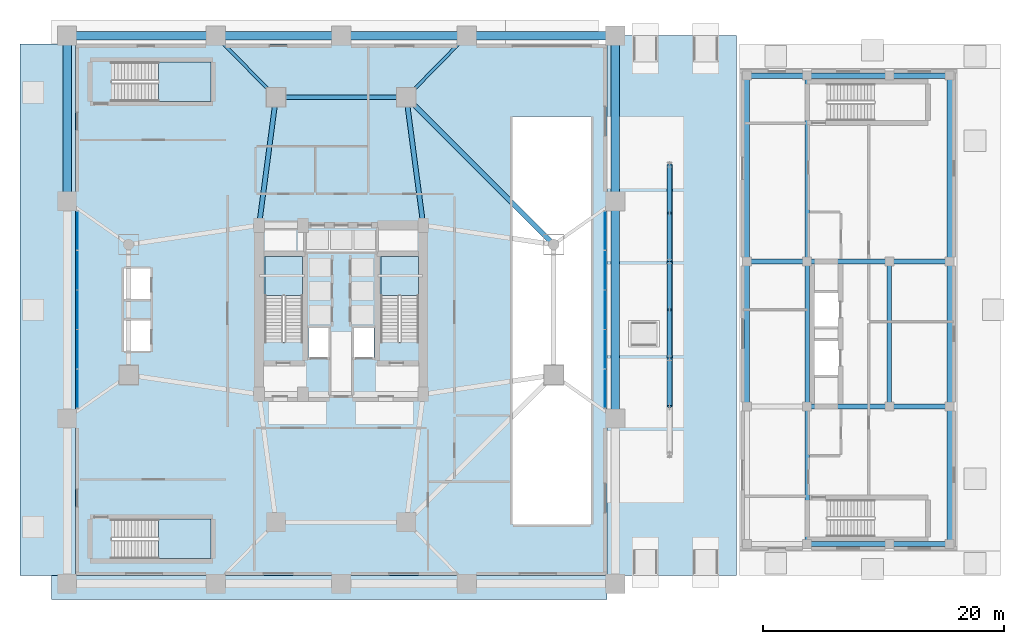
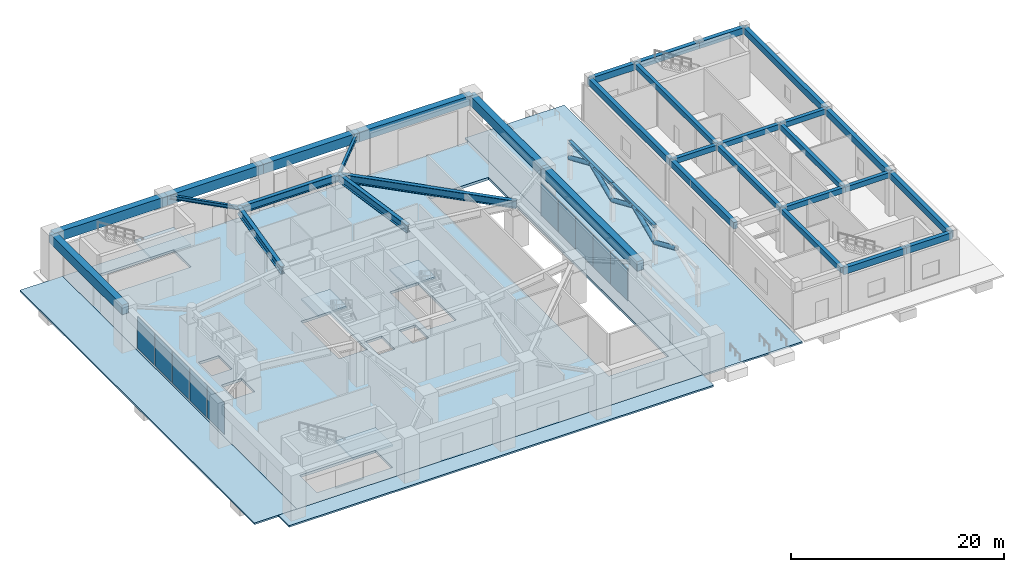
# One storey, part 15 of 27: 34 beams, 10 plates, 8 slabs, 5 members, 6 elements without a shape of their own.
"""IFC4 building model written with IfcOpenShell, lengths in metres."""

from ifc_helpers import new_model, si_unit, direction, frame, origin, origin_2d, place, context, subcontext, project, spatial, polyline, rectangle, hollow_circle, i_section, outline, extrude, source, transform, mapped, material, layer, layer_set, material_profile, profile_set, type_object, element, aggregate, save


model = new_model("IFC4")

# Units and contexts
model_context = context("Model", 3, precision=1e-05, world=origin(), true_north=direction((0.0, 1.0)))
body_context = subcontext(model_context, "Body", "Model", "MODEL_VIEW")
ifc_project = project(units=[si_unit("LENGTHUNIT", "METRE"), si_unit("AREAUNIT", "SQUARE_METRE"), si_unit("VOLUMEUNIT", "CUBIC_METRE"), si_unit("PLANEANGLEUNIT", "RADIAN"), si_unit("MASSUNIT", "GRAM", prefix="KILO")], contexts=[model_context])

# Site, building, storey
site_placement = place(None, origin())
site = spatial("IfcSite", under=ifc_project, at=site_placement, CompositionType="ELEMENT")
building_placement = place(site_placement, origin())
building = spatial("IfcBuilding", under=site, at=building_placement, Name="Veraguas Prism Commons", CompositionType="ELEMENT")
storey_placement = place(building_placement, origin())
storey = spatial("IfcBuildingStorey", under=building, at=storey_placement, Name="L00", CompositionType="ELEMENT", Elevation=0.0)

# Beams
ifc_material_1 = material(Name="Concrete C50/60", Category="concrete")
ifc_material_profile_1 = material_profile(ifc_material_1, rectangle(XDim=0.39990234375, YDim=0.60009765625, at=origin_2d()), Name="RC400X600")
ifc_profile_set_1 = profile_set([ifc_material_profile_1], Name="Concrete C50/60")
beam_type_1 = type_object("IfcBeamType", Name="Clinic Secondary Beam RC 400x600", PredefinedType="BEAM", material=ifc_profile_set_1)
beam_1_placement = place(storey_placement, frame((62.60009765625, 16.0, 4.60009765625), z_axis=(1.0, 0.0, 0.0), x_axis=(0.0, 1.0, 0.0)))
element("IfcBeam", 1, at=beam_1_placement, inside=storey, type_object=beam_type_1, Name="Health Centre Beam L00-HCX05", PredefinedType="BEAM", context=body_context, shape_type="SweptSolid", body=[
    extrude(rectangle(XDim=0.39990234375, YDim=0.60009765625, at=origin_2d()), origin(), (0.0, 0.0, 1.0), 6.7998046875),
])
for number, where, z_axis, x_axis, name in (
    (2, (69.39990234375, 16.0, 4.60009765625), (1.0, 0.0, 0.0), (0.0, 1.0, 0.0), "Health Centre Beam L00-HCX06"),
    (3, (57.60009765625, 28.0, 4.60009765625), (1.0, 0.0, 0.0), (0.0, 1.0, 0.0), "Health Centre Beam L00-HCX07"),
):
    element("IfcBeam", number, at=place(storey_placement, frame(where, z_axis=z_axis, x_axis=x_axis)), inside=storey, type_object=beam_type_1, Name=name, PredefinedType="BEAM", context=body_context, shape_type="SweptSolid", body=[
        extrude(rectangle(XDim=0.39990234375, YDim=0.60009765625, at=origin_2d()), origin(), (0.0, 0.0, 1.0), 5.0),
    ])
beam_2_placement = place(storey_placement, frame((62.60009765625, 28.0, 4.60009765625), z_axis=(1.0, 0.0, 0.0), x_axis=(0.0, 1.0, 0.0)))
element("IfcBeam", 4, at=beam_2_placement, inside=storey, type_object=beam_type_1, Name="Health Centre Beam L00-HCX08", PredefinedType="BEAM", context=body_context, shape_type="SweptSolid", body=[
    extrude(rectangle(XDim=0.39990234375, YDim=0.60009765625, at=origin_2d()), origin(), (0.0, 0.0, 1.0), 6.7998046875),
])
beam_3_placement = place(storey_placement, frame((69.39990234375, 28.0, 4.60009765625), z_axis=(1.0, 0.0, 0.0), x_axis=(0.0, 1.0, 0.0)))
element("IfcBeam", 5, at=beam_3_placement, inside=storey, type_object=beam_type_1, Name="Health Centre Beam L00-HCX09", PredefinedType="BEAM", context=body_context, shape_type="SweptSolid", body=[
    extrude(rectangle(XDim=0.39990234375, YDim=0.60009765625, at=origin_2d()), origin(), (0.0, 0.0, 1.0), 5.0),
])
beam_4_placement = place(storey_placement, frame((62.60009765625, 4.60009765625, 4.60009765625), z_axis=(0.0, 1.0, 0.0), x_axis=(-1.0, 0.0, 0.0)))
element("IfcBeam", 6, at=beam_4_placement, inside=storey, type_object=beam_type_1, Name="Health Centre Beam L00-HCY16", PredefinedType="BEAM", context=body_context, shape_type="SweptSolid", body=[
    extrude(rectangle(XDim=0.39990234375, YDim=0.60009765625, at=origin_2d()), origin(), (0.0, 0.0, 1.0), 11.39990234375),
])
beam_5_placement = place(storey_placement, frame((62.60009765625, 16.0, 4.60009765625), z_axis=(0.0, 1.0, 0.0), x_axis=(-1.0, 0.0, 0.0)))
element("IfcBeam", 7, at=beam_5_placement, inside=storey, type_object=beam_type_1, Name="Health Centre Beam L00-HCY17", PredefinedType="BEAM", context=body_context, shape_type="SweptSolid", body=[
    extrude(rectangle(XDim=0.39990234375, YDim=0.60009765625, at=origin_2d()), origin(), (0.0, 0.0, 1.0), 12.0),
])
beam_6_placement = place(storey_placement, frame((62.60009765625, 28.0, 4.60009765625), z_axis=(0.0, 1.0, 0.0), x_axis=(-1.0, 0.0, 0.0)))
element("IfcBeam", 8, at=beam_6_placement, inside=storey, type_object=beam_type_1, Name="Health Centre Beam L00-HCY18", PredefinedType="BEAM", context=body_context, shape_type="SweptSolid", body=[
    extrude(rectangle(XDim=0.39990234375, YDim=0.60009765625, at=origin_2d()), origin(), (0.0, 0.0, 1.0), 15.39990234375),
])
beam_7_placement = place(storey_placement, frame((69.39990234375, 16.0, 4.60009765625), z_axis=(0.0, 1.0, 0.0), x_axis=(-1.0, 0.0, 0.0)))
element("IfcBeam", 9, at=beam_7_placement, inside=storey, type_object=beam_type_1, Name="Health Centre Beam L00-HCY20", PredefinedType="BEAM", context=body_context, shape_type="SweptSolid", body=[
    extrude(rectangle(XDim=0.39990234375, YDim=0.60009765625, at=origin_2d()), origin(), (0.0, 0.0, 1.0), 12.0),
])

# Members
ifc_material_2 = material(Name="Steel ASTM A500 Grade C", Category="steel")
ifc_material_profile_2 = material_profile(ifc_material_2, hollow_circle(Radius=0.228515625, WallThickness=0.02001953125, at=origin_2d()), Name="CHS457X20")
ifc_profile_set_2 = profile_set([ifc_material_profile_2], Name="Steel ASTM A500 Grade C")
member_type = type_object("IfcMemberType", Name="Concourse Canopy Brace CHS 457x20", PredefinedType="BRACE", material=ifc_profile_set_2)
for number, where, z_axis, x_axis, name in (
    (10, (51.199951171875, 20.0, 2.39990234375), (0.0, -0.916157334902, 0.40081883402), (1.0, 0.0, 0.0), "Plaza Canopy Pipe Brace 02"),
    (11, (51.199951171875, 20.0, 2.39990234375), (0.0, 0.916157334902, 0.40081883402), (-1.0, 0.0, 0.0), "Plaza Canopy Pipe Brace 03"),
    (12, (51.199951171875, 28.0, 2.39990234375), (0.0, -0.916157334902, 0.40081883402), (1.0, 0.0, 0.0), "Plaza Canopy Pipe Brace 04"),
    (13, (51.199951171875, 28.0, 2.39990234375), (0.0, 0.916157334902, 0.40081883402), (-1.0, 0.0, 0.0), "Plaza Canopy Pipe Brace 05"),
    (14, (51.199951171875, 36.0, 2.39990234375), (0.0, -0.916157334902, 0.40081883402), (1.0, 0.0, 0.0), "Plaza Canopy Pipe Brace 06"),
):
    element("IfcMember", number, at=place(storey_placement, frame(where, z_axis=z_axis, x_axis=x_axis)), inside=storey, type_object=member_type, Name=name, PredefinedType="BRACE", context=body_context, shape_type="SweptSolid", body=[
        extrude(hollow_circle(Radius=0.228515625, WallThickness=0.02001953125, at=origin_2d()), origin(), (0.0, 0.0, 1.0), 4.365966796875),
    ])

# Beams
ifc_material_3 = material(Name="Steel ASTM A992 Grade 50", Category="steel")
ifc_material_profile_3 = material_profile(ifc_material_3, i_section(OverallWidth=0.403076171875, OverallDepth=0.867919921875, WebThickness=0.02099609375, FlangeThickness=0.03564453125, at=origin_2d()), Name="W840X359")
ifc_profile_set_3 = profile_set([ifc_material_profile_3], Name="Steel ASTM A992 Grade 50")
beam_type_2 = type_object("IfcBeamType", Name="Concourse Primary Girder W840x359", PredefinedType="BEAM", material=ifc_profile_set_3)
for number, where, z_axis, x_axis, name in (
    (15, (29.39990234375, 41.60009765625, 4.466064453125), (0.130950648891, -0.991388888154, 0.0), (0.991388888154, 0.130950648891, 0.0), "Concourse Radial Girder L00-TMR03"),
    (16, (18.60009765625, 41.60009765625, 4.466064453125), (-0.130950648891, -0.991388888154, 0.0), (0.991388888154, -0.130950648891, 0.0), "Concourse Radial Girder L00-TMR04"),
):
    element("IfcBeam", number, at=place(storey_placement, frame(where, z_axis=z_axis, x_axis=x_axis)), inside=storey, type_object=beam_type_2, Name=name, PredefinedType="BEAM", context=body_context, shape_type="SweptSolid", body=[
        extrude(i_section(OverallWidth=0.403076171875, OverallDepth=0.867919921875, WebThickness=0.02099609375, FlangeThickness=0.03564453125, at=origin_2d()), origin(), (0.0, 0.0, 1.0), 10.692138671875),
    ])
beam_8_placement = place(storey_placement, frame((41.60009765625, 29.39990234375, 4.466064453125), z_axis=(-0.707106781187, 0.707106781187, 0.0), x_axis=(-0.707106781187, -0.707106781187, 0.0)))
element("IfcBeam", 17, at=beam_8_placement, inside=storey, type_object=beam_type_2, Name="Concourse Ring Girder L00-TMH02", PredefinedType="BEAM", context=body_context, shape_type="SweptSolid", body=[
    extrude(i_section(OverallWidth=0.403076171875, OverallDepth=0.867919921875, WebThickness=0.02099609375, FlangeThickness=0.03564453125, at=origin_2d()), origin(), (0.0, 0.0, 1.0), 17.253662109375),
])
beam_9_placement = place(storey_placement, frame((29.39990234375, 41.60009765625, 4.466064453125), z_axis=(-1.0, 0.0, 0.0), x_axis=(0.0, -1.0, 0.0)))
element("IfcBeam", 18, at=beam_9_placement, inside=storey, type_object=beam_type_2, Name="Concourse Ring Girder L00-TMH03", PredefinedType="BEAM", context=body_context, shape_type="SweptSolid", body=[
    extrude(i_section(OverallWidth=0.403076171875, OverallDepth=0.867919921875, WebThickness=0.02099609375, FlangeThickness=0.03564453125, at=origin_2d()), origin(), (0.0, 0.0, 1.0), 10.7998046875),
])
ifc_material_profile_4 = material_profile(ifc_material_3, i_section(OverallWidth=0.260986328125, OverallDepth=0.419921875, WebThickness=0.01171875, FlangeThickness=0.019287109375, at=origin_2d()), Name="W410X114")
ifc_profile_set_4 = profile_set([ifc_material_profile_4], Name="Steel ASTM A992 Grade 50")
beam_type_3 = type_object("IfcBeamType", Name="Lower Floor Joist W410x114", PredefinedType="JOIST", material=ifc_profile_set_4)
for number, where, z_axis, x_axis, name in (
    (19, (29.39990234375, 41.60009765625, 4.68994140625), (0.700081663946, 0.71406278702, 0.0), (-0.71406278702, 0.700081663946, 0.0), "Podium Tie Beam L00-TMT03"),
    (20, (18.60009765625, 41.60009765625, 4.68994140625), (-0.700081663946, 0.71406278702, 0.0), (-0.71406278702, -0.700081663946, 0.0), "Podium Tie Beam L00-TMT04"),
):
    element("IfcBeam", number, at=place(storey_placement, frame(where, z_axis=z_axis, x_axis=x_axis)), inside=storey, type_object=beam_type_3, Name=name, PredefinedType="JOIST", context=body_context, shape_type="SweptSolid", body=[
        extrude(i_section(OverallWidth=0.260986328125, OverallDepth=0.419921875, WebThickness=0.01171875, FlangeThickness=0.019287109375, at=origin_2d()), origin(), (0.0, 0.0, 1.0), 7.14208984375),
    ])
ifc_material_profile_5 = material_profile(ifc_material_1, rectangle(XDim=0.449951171875, YDim=0.75, at=origin_2d()), Name="RC450X750")
ifc_profile_set_5 = profile_set([ifc_material_profile_5], Name="Concrete C50/60")
beam_type_4 = type_object("IfcBeamType", Name="Perimeter Spandrel Upper RC 450x750", PredefinedType="SPANDREL", material=ifc_profile_set_5)
beam_10_placement = place(storey_placement, frame((62.60009765625, 4.60009765625, 4.52490234375), z_axis=(1.0, 0.0, 0.0), x_axis=(0.0, 1.0, 0.0)))
element("IfcBeam", 21, at=beam_10_placement, inside=storey, type_object=beam_type_4, Name="Health Centre Beam L00-HCX02", PredefinedType="SPANDREL", context=body_context, shape_type="SweptSolid", body=[
    extrude(rectangle(XDim=0.449951171875, YDim=0.75, at=origin_2d()), origin(), (0.0, 0.0, 1.0), 6.7998046875),
])
for number, where, z_axis, x_axis, name in (
    (22, (69.39990234375, 4.60009765625, 4.52490234375), (1.0, 0.0, 0.0), (0.0, 1.0, 0.0), "Health Centre Beam L00-HCX03"),
    (23, (57.60009765625, 43.39990234375, 4.52490234375), (1.0, 0.0, 0.0), (0.0, 1.0, 0.0), "Health Centre Beam L00-HCX10"),
):
    element("IfcBeam", number, at=place(storey_placement, frame(where, z_axis=z_axis, x_axis=x_axis)), inside=storey, type_object=beam_type_4, Name=name, PredefinedType="SPANDREL", context=body_context, shape_type="SweptSolid", body=[
        extrude(rectangle(XDim=0.449951171875, YDim=0.75, at=origin_2d()), origin(), (0.0, 0.0, 1.0), 5.0),
    ])
beam_11_placement = place(storey_placement, frame((62.60009765625, 43.39990234375, 4.52490234375), z_axis=(1.0, 0.0, 0.0), x_axis=(0.0, 1.0, 0.0)))
element("IfcBeam", 24, at=beam_11_placement, inside=storey, type_object=beam_type_4, Name="Health Centre Beam L00-HCX11", PredefinedType="SPANDREL", context=body_context, shape_type="SweptSolid", body=[
    extrude(rectangle(XDim=0.449951171875, YDim=0.75, at=origin_2d()), origin(), (0.0, 0.0, 1.0), 6.7998046875),
])
beam_12_placement = place(storey_placement, frame((69.39990234375, 43.39990234375, 4.52490234375), z_axis=(1.0, 0.0, 0.0), x_axis=(0.0, 1.0, 0.0)))
element("IfcBeam", 25, at=beam_12_placement, inside=storey, type_object=beam_type_4, Name="Health Centre Beam L00-HCX12", PredefinedType="SPANDREL", context=body_context, shape_type="SweptSolid", body=[
    extrude(rectangle(XDim=0.449951171875, YDim=0.75, at=origin_2d()), origin(), (0.0, 0.0, 1.0), 5.0),
])
beam_13_placement = place(storey_placement, frame((57.60009765625, 16.0, 4.52490234375), z_axis=(0.0, 1.0, 0.0), x_axis=(-1.0, 0.0, 0.0)))
element("IfcBeam", 26, at=beam_13_placement, inside=storey, type_object=beam_type_4, Name="Health Centre Beam L00-HCY14", PredefinedType="SPANDREL", context=body_context, shape_type="SweptSolid", body=[
    extrude(rectangle(XDim=0.449951171875, YDim=0.75, at=origin_2d()), origin(), (0.0, 0.0, 1.0), 12.0),
])
beam_14_placement = place(storey_placement, frame((57.60009765625, 28.0, 4.52490234375), z_axis=(0.0, 1.0, 0.0), x_axis=(-1.0, 0.0, 0.0)))
element("IfcBeam", 27, at=beam_14_placement, inside=storey, type_object=beam_type_4, Name="Health Centre Beam L00-HCY15", PredefinedType="SPANDREL", context=body_context, shape_type="SweptSolid", body=[
    extrude(rectangle(XDim=0.449951171875, YDim=0.75, at=origin_2d()), origin(), (0.0, 0.0, 1.0), 15.39990234375),
])
beam_15_placement = place(storey_placement, frame((74.39990234375, 4.60009765625, 4.52490234375), z_axis=(0.0, 1.0, 0.0), x_axis=(-1.0, 0.0, 0.0)))
element("IfcBeam", 28, at=beam_15_placement, inside=storey, type_object=beam_type_4, Name="Health Centre Beam L00-HCY22", PredefinedType="SPANDREL", context=body_context, shape_type="SweptSolid", body=[
    extrude(rectangle(XDim=0.449951171875, YDim=0.75, at=origin_2d()), origin(), (0.0, 0.0, 1.0), 11.39990234375),
])
beam_16_placement = place(storey_placement, frame((74.39990234375, 16.0, 4.52490234375), z_axis=(0.0, 1.0, 0.0), x_axis=(-1.0, 0.0, 0.0)))
element("IfcBeam", 29, at=beam_16_placement, inside=storey, type_object=beam_type_4, Name="Health Centre Beam L00-HCY23", PredefinedType="SPANDREL", context=body_context, shape_type="SweptSolid", body=[
    extrude(rectangle(XDim=0.449951171875, YDim=0.75, at=origin_2d()), origin(), (0.0, 0.0, 1.0), 12.0),
])
beam_17_placement = place(storey_placement, frame((74.39990234375, 28.0, 4.52490234375), z_axis=(0.0, 1.0, 0.0), x_axis=(-1.0, 0.0, 0.0)))
element("IfcBeam", 30, at=beam_17_placement, inside=storey, type_object=beam_type_4, Name="Health Centre Beam L00-HCY24", PredefinedType="SPANDREL", context=body_context, shape_type="SweptSolid", body=[
    extrude(rectangle(XDim=0.449951171875, YDim=0.75, at=origin_2d()), origin(), (0.0, 0.0, 1.0), 15.39990234375),
])
ifc_material_profile_6 = material_profile(ifc_material_1, rectangle(XDim=0.699951171875, YDim=1.10009765625, at=origin_2d()), Name="RC700X1100")
ifc_profile_set_6 = profile_set([ifc_material_profile_6], Name="Concrete C50/60")
beam_type_5 = type_object("IfcBeamType", Name="Podium Primary Girder RC 700x1100", PredefinedType="BEAM", material=ifc_profile_set_6)
beam_18_placement = place(storey_placement, frame((46.699951171875, 15.0, 4.35009765625), z_axis=(0.0, 1.0, 0.0), x_axis=(-1.0, 0.0, 0.0)))
element("IfcBeam", 31, at=beam_18_placement, inside=storey, type_object=beam_type_5, Name="Podium Perimeter Girder L00-PDR06", PredefinedType="BEAM", context=body_context, shape_type="SweptSolid", body=[
    extrude(rectangle(XDim=0.699951171875, YDim=1.10009765625, at=origin_2d()), origin(), (0.0, 0.0, 1.0), 18.0),
])
beam_19_placement = place(storey_placement, frame((46.699951171875, 33.0, 4.35009765625), z_axis=(0.0, 1.0, 0.0), x_axis=(-1.0, 0.0, 0.0)))
element("IfcBeam", 32, at=beam_19_placement, inside=storey, type_object=beam_type_5, Name="Podium Perimeter Girder L00-PDR07", PredefinedType="BEAM", context=body_context, shape_type="SweptSolid", body=[
    extrude(rectangle(XDim=0.699951171875, YDim=1.10009765625, at=origin_2d()), origin(), (0.0, 0.0, 1.0), 13.699951171875),
])
beam_20_placement = place(storey_placement, frame((46.699951171875, 46.699951171875, 4.35009765625), z_axis=(-1.0, 0.0, 0.0), x_axis=(0.0, -1.0, 0.0)))
element("IfcBeam", 33, at=beam_20_placement, inside=storey, type_object=beam_type_5, Name="Podium Perimeter Girder L00-PDR08", PredefinedType="BEAM", context=body_context, shape_type="SweptSolid", body=[
    extrude(rectangle(XDim=0.699951171875, YDim=1.10009765625, at=origin_2d()), origin(), (0.0, 0.0, 1.0), 12.300048828125),
])
for number, where, z_axis, x_axis, name in (
    (34, (34.39990234375, 46.699951171875, 4.35009765625), (-1.0, 0.0, 0.0), (0.0, -1.0, 0.0), "Podium Perimeter Girder L00-PDR09"),
    (35, (24.0, 46.699951171875, 4.35009765625), (-1.0, 0.0, 0.0), (0.0, -1.0, 0.0), "Podium Perimeter Girder L00-PDR10"),
):
    element("IfcBeam", number, at=place(storey_placement, frame(where, z_axis=z_axis, x_axis=x_axis)), inside=storey, type_object=beam_type_5, Name=name, PredefinedType="BEAM", context=body_context, shape_type="SweptSolid", body=[
        extrude(rectangle(XDim=0.699951171875, YDim=1.10009765625, at=origin_2d()), origin(), (0.0, 0.0, 1.0), 10.39990234375),
    ])
beam_21_placement = place(storey_placement, frame((13.60009765625, 46.699951171875, 4.35009765625), z_axis=(-1.0, 0.0, 0.0), x_axis=(0.0, -1.0, 0.0)))
element("IfcBeam", 36, at=beam_21_placement, inside=storey, type_object=beam_type_5, Name="Podium Perimeter Girder L00-PDR11", PredefinedType="BEAM", context=body_context, shape_type="SweptSolid", body=[
    extrude(rectangle(XDim=0.699951171875, YDim=1.10009765625, at=origin_2d()), origin(), (0.0, 0.0, 1.0), 12.300048828125),
])
beam_22_placement = place(storey_placement, frame((1.300048828125, 46.699951171875, 4.35009765625), z_axis=(0.0, -1.0, 0.0), x_axis=(1.0, 0.0, 0.0)))
element("IfcBeam", 37, at=beam_22_placement, inside=storey, type_object=beam_type_5, Name="Podium Perimeter Girder L00-PDR12", PredefinedType="BEAM", context=body_context, shape_type="SweptSolid", body=[
    extrude(rectangle(XDim=0.699951171875, YDim=1.10009765625, at=origin_2d()), origin(), (0.0, 0.0, 1.0), 13.699951171875),
])
ifc_material_profile_7 = material_profile(ifc_material_3, i_section(OverallWidth=0.305908203125, OverallDepth=0.31103515625, WebThickness=0.010986328125, FlangeThickness=0.01708984375, at=origin_2d()), Name="W310X107")
ifc_profile_set_7 = profile_set([ifc_material_profile_7], Name="Steel ASTM A992 Grade 50")
beam_type_6 = type_object("IfcBeamType", Name="Terrace Deck Joist W310x107", PredefinedType="JOIST", material=ifc_profile_set_7)
for number, where, z_axis, x_axis, name in (
    (38, (51.199951171875, 20.0, 4.244384765625), (0.0, 1.0, 0.0), (-1.0, 0.0, 0.0), "Plaza Canopy Beam CNB02"),
    (39, (51.199951171875, 28.0, 4.244384765625), (0.0, 1.0, 0.0), (-1.0, 0.0, 0.0), "Plaza Canopy Beam CNB03"),
):
    element("IfcBeam", number, at=place(storey_placement, frame(where, z_axis=z_axis, x_axis=x_axis)), inside=storey, type_object=beam_type_6, Name=name, PredefinedType="JOIST", context=body_context, shape_type="SweptSolid", body=[
        extrude(i_section(OverallWidth=0.305908203125, OverallDepth=0.31103515625, WebThickness=0.010986328125, FlangeThickness=0.01708984375, at=origin_2d()), origin(), (0.0, 0.0, 1.0), 8.0),
    ])

# Slab
ifc_material_4 = material(Name="Concrete C45/55", Category="concrete")
ifc_layer_1 = layer(ifc_material_4, 0.300048828125, Name="Podium Concourse and Clinic Slab RC 300", Category="concrete")
ifc_layer_set_1 = layer_set([ifc_layer_1], Name="Concrete C45/55")
slab_type_1 = type_object("IfcSlabType", Name="Podium Concourse and Clinic Slab RC 300", PredefinedType="FLOOR", material=ifc_layer_set_1)
slab_1_placement = place(storey_placement, frame((0.0, 0.0, -0.300048828125)))
element("IfcSlab", 40, at=slab_1_placement, inside=storey, type_object=slab_type_1, Name="Podium and Station Slab L00", PredefinedType="FLOOR", context=body_context, shape_type="SweptSolid", body=[
    extrude(outline(polyline([(2.0, 2.0), (46.0, 2.0), (46.0, 46.0), (2.0, 46.0), (2.0, 2.0)]), holes=[polyline([(20.800048828125, 21.31005859375), (20.800048828125, 28.39990234375), (17.68994140625, 28.39990234375), (17.68994140625, 21.31005859375), (20.800048828125, 21.31005859375)]), polyline([(30.39990234375, 21.31005859375), (30.39990234375, 28.39990234375), (27.2900390625, 28.39990234375), (27.2900390625, 21.31005859375), (30.39990234375, 21.31005859375)]), polyline([(4.97998046875, 3.39990234375), (13.199951171875, 3.39990234375), (13.199951171875, 6.64990234375), (4.97998046875, 6.64990234375), (4.97998046875, 3.39990234375)]), polyline([(4.97998046875, 41.260009765625), (13.199951171875, 41.260009765625), (13.199951171875, 44.510009765625), (4.97998046875, 44.510009765625), (4.97998046875, 41.260009765625)]), polyline([(21.300048828125, 20.050048828125), (23.050048828125, 20.050048828125), (23.050048828125, 22.550048828125), (21.300048828125, 22.550048828125), (21.300048828125, 20.050048828125)]), polyline([(24.949951171875, 20.050048828125), (26.699951171875, 20.050048828125), (26.699951171875, 22.550048828125), (24.949951171875, 22.550048828125), (24.949951171875, 20.050048828125)]), polyline([(6.0, 20.60009765625), (8.199951171875, 20.60009765625), (8.199951171875, 23.10009765625), (6.0, 23.10009765625), (6.0, 20.60009765625)]), polyline([(6.0, 24.89990234375), (8.199951171875, 24.89990234375), (8.199951171875, 27.39990234375), (6.0, 27.39990234375), (6.0, 24.89990234375)]), polyline([(38.199951171875, 6.199951171875), (44.699951171875, 6.199951171875), (44.699951171875, 40.0), (38.199951171875, 40.0), (38.199951171875, 6.199951171875)])]), origin(), (0.0, 0.0, 1.0), 0.300048828125),
])

# Stair, slab
ifc_material_5 = material(Name="Precast concrete C45/55", Category="concrete")
stair_type_1 = type_object("IfcStairType", Name="Dogleg Core Stair 1480W 30R 02", PredefinedType="HALF_TURN_STAIR", material=ifc_material_5)
stair_1_placement = place(storey_placement, origin())
stair_1 = element("IfcStair", 41, at=stair_1_placement, inside=storey, type_object=stair_type_1, Name="Protected Exit Stair ST-01 L00", PredefinedType="HALF_TURN_STAIR")
ifc_layer_2 = layer(ifc_material_5, 0.199951171875, Name="Precast Stair and Ramp Landing Slab 200", Category="concrete")
ifc_layer_set_2 = layer_set([ifc_layer_2], Name="Precast concrete C45/55")
slab_type_2 = type_object("IfcSlabType", Name="Precast Stair and Ramp Landing Slab 200", PredefinedType="LANDING", material=ifc_layer_set_2)
slab_2_placement = place(storey_placement, frame((0.0, 0.0, 2.39990234375)))
slab_2 = element("IfcSlab", 42, at=slab_2_placement, type_object=slab_type_2, Name="ST-02 Landing 1", PredefinedType="LANDING", context=body_context, shape_type="SweptSolid", body=[
    extrude(outline(polyline([(20.800048828125, 25.199951171875), (20.800048828125, 28.39990234375), (17.68994140625, 28.39990234375), (17.68994140625, 25.199951171875), (20.800048828125, 25.199951171875)])), origin(), (0.0, 0.0, 1.0), 0.2001953125),
])
aggregate(stair_1, [slab_2])

stair_2_placement = place(storey_placement, origin())
stair_2 = element("IfcStair", 43, at=stair_2_placement, inside=storey, type_object=stair_type_1, Name="Protected Exit Stair ST-02 L00", PredefinedType="HALF_TURN_STAIR")
slab_3_placement = place(storey_placement, frame((0.0, 0.0, 2.39990234375)))
slab_3 = element("IfcSlab", 44, at=slab_3_placement, type_object=slab_type_2, Name="ST-02 Landing 1", PredefinedType="LANDING", context=body_context, shape_type="SweptSolid", body=[
    extrude(outline(polyline([(30.39990234375, 25.199951171875), (30.39990234375, 28.39990234375), (27.2900390625, 28.39990234375), (27.2900390625, 25.199951171875), (30.39990234375, 25.199951171875)])), origin(), (0.0, 0.0, 1.0), 0.2001953125),
])
aggregate(stair_2, [slab_3])

stair_type_2 = type_object("IfcStairType", Name="Dogleg Core Stair 1550W 30R 10", PredefinedType="HALF_TURN_STAIR", material=ifc_material_5)
stair_3_placement = place(storey_placement, origin())
stair_3 = element("IfcStair", 45, at=stair_3_placement, inside=storey, type_object=stair_type_2, Name="Protected Exit Stair ST-M1 L00", PredefinedType="HALF_TURN_STAIR")
slab_4_placement = place(storey_placement, frame((0.0, 0.0, 2.39990234375)))
slab_4 = element("IfcSlab", 46, at=slab_4_placement, type_object=slab_type_2, Name="ST-10 Landing 1", PredefinedType="LANDING", context=body_context, shape_type="SweptSolid", body=[
    extrude(outline(polyline([(8.8701171875, 3.39990234375), (13.199951171875, 3.39990234375), (13.199951171875, 6.64990234375), (8.8701171875, 6.64990234375), (8.8701171875, 3.39990234375)])), origin(), (0.0, 0.0, 1.0), 0.2001953125),
])
aggregate(stair_3, [slab_4])

stair_4_placement = place(storey_placement, origin())
stair_4 = element("IfcStair", 47, at=stair_4_placement, inside=storey, type_object=stair_type_2, Name="Protected Exit Stair ST-M2 L00", PredefinedType="HALF_TURN_STAIR")
slab_5_placement = place(storey_placement, frame((0.0, 0.0, 2.39990234375)))
slab_5 = element("IfcSlab", 48, at=slab_5_placement, type_object=slab_type_2, Name="ST-10 Landing 1", PredefinedType="LANDING", context=body_context, shape_type="SweptSolid", body=[
    extrude(outline(polyline([(8.8701171875, 41.260009765625), (13.199951171875, 41.260009765625), (13.199951171875, 44.510009765625), (8.8701171875, 44.510009765625), (8.8701171875, 41.260009765625)])), origin(), (0.0, 0.0, 1.0), 0.2001953125),
])
aggregate(stair_4, [slab_5])

# Slabs
ifc_layer_3 = layer(ifc_material_5, 0.18994140625, Name="Shared Public Plaza Paving Slab 190", Category="concrete")
ifc_layer_set_3 = layer_set([ifc_layer_3], Name="Precast concrete C45/55")
slab_type_3 = type_object("IfcSlabType", Name="Shared Public Plaza Paving Slab 190", PredefinedType="USERDEFINED", material=ifc_layer_set_3)
slab_6_placement = place(storey_placement, frame((0.0, 0.0, -0.18994140625)))
element("IfcSlab", 49, at=slab_6_placement, inside=storey, type_object=slab_type_3, Name="Shared Public Plaza", ObjectType="PAVING", PredefinedType="USERDEFINED", context=body_context, shape_type="SweptSolid", body=[
    extrude(outline(polyline([(46.0, 2.0), (56.75, 2.0), (56.75, 46.699951171875), (46.0, 46.699951171875), (46.0, 2.0)])), origin(), (0.0, 0.0, 1.0), 0.18994140625),
])
slab_7_placement = place(storey_placement, frame((0.0, 0.0, -0.18994140625)))
element("IfcSlab", 50, at=slab_7_placement, inside=storey, type_object=slab_type_3, Name="South Street Entrance Sidewalk", ObjectType="PAVING", PredefinedType="USERDEFINED", context=body_context, shape_type="SweptSolid", body=[
    extrude(outline(polyline([(0.0, 0.0), (46.0, 0.0), (46.0, 2.0), (0.0, 2.0), (0.0, 0.0)])), origin(), (0.0, 0.0, 1.0), 0.18994140625),
])
slab_8_placement = place(storey_placement, frame((0.0, 0.0, -0.18994140625)))
element("IfcSlab", 51, at=slab_8_placement, inside=storey, type_object=slab_type_3, Name="West Via Espana Station Promenade", ObjectType="PAVING", PredefinedType="USERDEFINED", context=body_context, shape_type="SweptSolid", body=[
    extrude(outline(polyline([(-2.60009765625, 2.0), (2.0, 2.0), (2.0, 46.0), (-2.60009765625, 46.0), (-2.60009765625, 2.0)])), origin(), (0.0, 0.0, 1.0), 0.18994140625),
])

# Curtain wall, plates
ifc_material_6 = material(Name="Anodised aluminium EN AW-6063 T6", Category="aluminium")
ifc_layer_4 = layer(ifc_material_6, 0.199951171875, Name="Metro Concourse Structural Glazing", Category="aluminium")
ifc_layer_set_4 = layer_set([ifc_layer_4], Name="Anodised aluminium EN AW-6063 T6")
curtain_wall_type = type_object("IfcCurtainWallType", Name="Metro Concourse Structural Glazing", PredefinedType="NOTDEFINED", material=ifc_layer_set_4)
curtain_wall_1_placement = place(storey_placement, origin())
curtain_wall_1 = element("IfcCurtainWall", 52, at=curtain_wall_1_placement, inside=storey, type_object=curtain_wall_type, Name="Plaza Concourse Curtain Wall L00-E02", PredefinedType="NOTDEFINED")
ifc_material_7 = material(Name="Laminated low-e glass", Category="glass")
ifc_layer_5 = layer(ifc_material_7, 0.031982421875, Name="Concourse Acoustic Triple Glazed Panel 32", Category="glass")
ifc_layer_set_5 = layer_set([ifc_layer_5], Name="Laminated low-e glass")
plate_type = type_object("IfcPlateType", Name="Concourse Acoustic Triple Glazed Panel 32", PredefinedType="CURTAIN_PANEL", material=ifc_layer_set_5)
shared_shape_1 = source(origin(), body_context, "Body", "SweptSolid", [
    extrude(rectangle(XDim=3.1826171875, YDim=0.031982421875, at=origin_2d()), origin(), (0.0, 0.0, 1.0), 3.679931640625),
])
plate_1_placement = place(storey_placement, frame((45.85009765625, 17.456298828125, 0.06005859375), z_axis=(0.0, 0.0, 1.0), x_axis=(0.0, 1.0, 0.0)))
plate_1 = element("IfcPlate", 53, at=plate_1_placement, type_object=plate_type, Name="CW-STN Panel 1.1", PredefinedType="CURTAIN_PANEL", context=body_context, shape_type="MappedRepresentation", body=[
    mapped(shared_shape_1, transform((0.0, 0.0, 0.0), scale=1.0)),
])
plate_2_placement = place(storey_placement, frame((45.85009765625, 30.543701171875, 0.06005859375), z_axis=(0.0, 0.0, 1.0), x_axis=(0.0, 1.0, 0.0)))
plate_2 = element("IfcPlate", 54, at=plate_2_placement, type_object=plate_type, Name="CW-STN Panel 5.1", PredefinedType="CURTAIN_PANEL", context=body_context, shape_type="MappedRepresentation", body=[
    mapped(shared_shape_1, transform((0.0, 0.0, 0.0), scale=1.0)),
])

curtain_wall_2_placement = place(storey_placement, origin())
curtain_wall_2 = element("IfcCurtainWall", 55, at=curtain_wall_2_placement, inside=storey, type_object=curtain_wall_type, Name="Via Espana Metro Concourse Curtain Wall L00-W02", PredefinedType="NOTDEFINED")
plate_3_placement = place(storey_placement, frame((2.14990234375, 30.543701171875, 0.06005859375), z_axis=(0.0, 0.0, 1.0), x_axis=(0.0, -1.0, 0.0)))
plate_3 = element("IfcPlate", 56, at=plate_3_placement, type_object=plate_type, Name="CW-STN Panel 1.1", PredefinedType="CURTAIN_PANEL", context=body_context, shape_type="MappedRepresentation", body=[
    mapped(shared_shape_1, transform((0.0, 0.0, 0.0), scale=1.0)),
])
plate_4_placement = place(storey_placement, frame((2.14990234375, 17.456298828125, 0.06005859375), z_axis=(0.0, 0.0, 1.0), x_axis=(0.0, -1.0, 0.0)))
plate_4 = element("IfcPlate", 57, at=plate_4_placement, type_object=plate_type, Name="CW-STN Panel 5.1", PredefinedType="CURTAIN_PANEL", context=body_context, shape_type="MappedRepresentation", body=[
    mapped(shared_shape_1, transform((0.0, 0.0, 0.0), scale=1.0)),
])

# Plate
shared_shape_2 = source(origin(), body_context, "Body", "SweptSolid", [
    extrude(rectangle(XDim=3.215087890625, YDim=0.031982421875, at=origin_2d()), origin(), (0.0, 0.0, 1.0), 3.679931640625),
])
plate_5_placement = place(storey_placement, frame((45.85009765625, 20.719970703125, 0.06005859375), z_axis=(0.0, 0.0, 1.0), x_axis=(0.0, 1.0, 0.0)))
plate_5 = element("IfcPlate", 58, at=plate_5_placement, type_object=plate_type, Name="CW-STN Panel 2.1", PredefinedType="CURTAIN_PANEL", context=body_context, shape_type="MappedRepresentation", body=[
    mapped(shared_shape_2, transform((0.0, 0.0, 0.0), scale=1.0)),
])

plate_6_placement = place(storey_placement, frame((45.85009765625, 24.0, 0.06005859375), z_axis=(0.0, 0.0, 1.0), x_axis=(0.0, 1.0, 0.0)))
plate_6 = element("IfcPlate", 59, at=plate_6_placement, type_object=plate_type, Name="CW-STN Panel 3.1", PredefinedType="CURTAIN_PANEL", context=body_context, shape_type="MappedRepresentation", body=[
    mapped(shared_shape_2, transform((0.0, 0.0, 0.0), scale=1.0)),
])

plate_7_placement = place(storey_placement, frame((45.85009765625, 27.280029296875, 0.06005859375), z_axis=(0.0, 0.0, 1.0), x_axis=(0.0, 1.0, 0.0)))
plate_7 = element("IfcPlate", 60, at=plate_7_placement, type_object=plate_type, Name="CW-STN Panel 4.1", PredefinedType="CURTAIN_PANEL", context=body_context, shape_type="MappedRepresentation", body=[
    mapped(shared_shape_2, transform((0.0, 0.0, 0.0), scale=1.0)),
])

aggregate(curtain_wall_1, [plate_1, plate_5, plate_6, plate_7, plate_2])

plate_8_placement = place(storey_placement, frame((2.14990234375, 27.280029296875, 0.06005859375), z_axis=(0.0, 0.0, 1.0), x_axis=(0.0, -1.0, 0.0)))
plate_8 = element("IfcPlate", 61, at=plate_8_placement, type_object=plate_type, Name="CW-STN Panel 2.1", PredefinedType="CURTAIN_PANEL", context=body_context, shape_type="MappedRepresentation", body=[
    mapped(shared_shape_2, transform((0.0, 0.0, 0.0), scale=1.0)),
])

plate_9_placement = place(storey_placement, frame((2.14990234375, 24.0, 0.06005859375), z_axis=(0.0, 0.0, 1.0), x_axis=(0.0, -1.0, 0.0)))
plate_9 = element("IfcPlate", 62, at=plate_9_placement, type_object=plate_type, Name="CW-STN Panel 3.1", PredefinedType="CURTAIN_PANEL", context=body_context, shape_type="MappedRepresentation", body=[
    mapped(shared_shape_2, transform((0.0, 0.0, 0.0), scale=1.0)),
])

plate_10_placement = place(storey_placement, frame((2.14990234375, 20.719970703125, 0.06005859375), z_axis=(0.0, 0.0, 1.0), x_axis=(0.0, -1.0, 0.0)))
plate_10 = element("IfcPlate", 63, at=plate_10_placement, type_object=plate_type, Name="CW-STN Panel 4.1", PredefinedType="CURTAIN_PANEL", context=body_context, shape_type="MappedRepresentation", body=[
    mapped(shared_shape_2, transform((0.0, 0.0, 0.0), scale=1.0)),
])

aggregate(curtain_wall_2, [plate_3, plate_8, plate_9, plate_10, plate_4])

save(model, "model.ifc")
